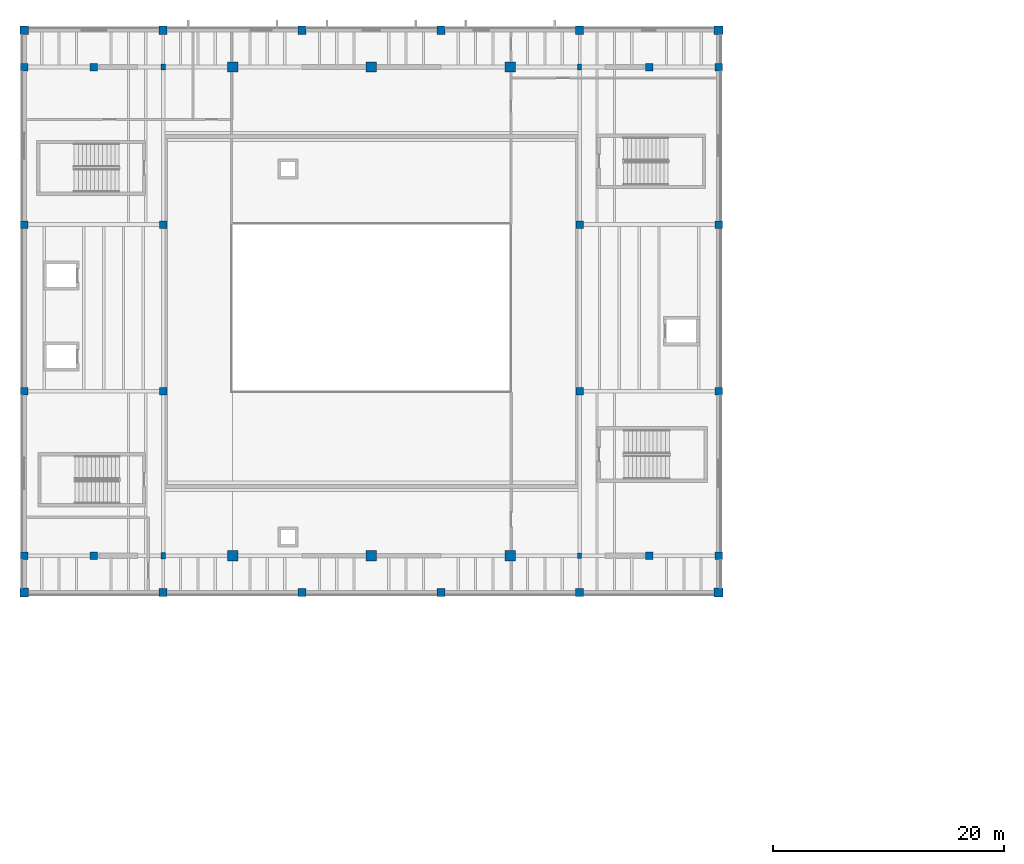
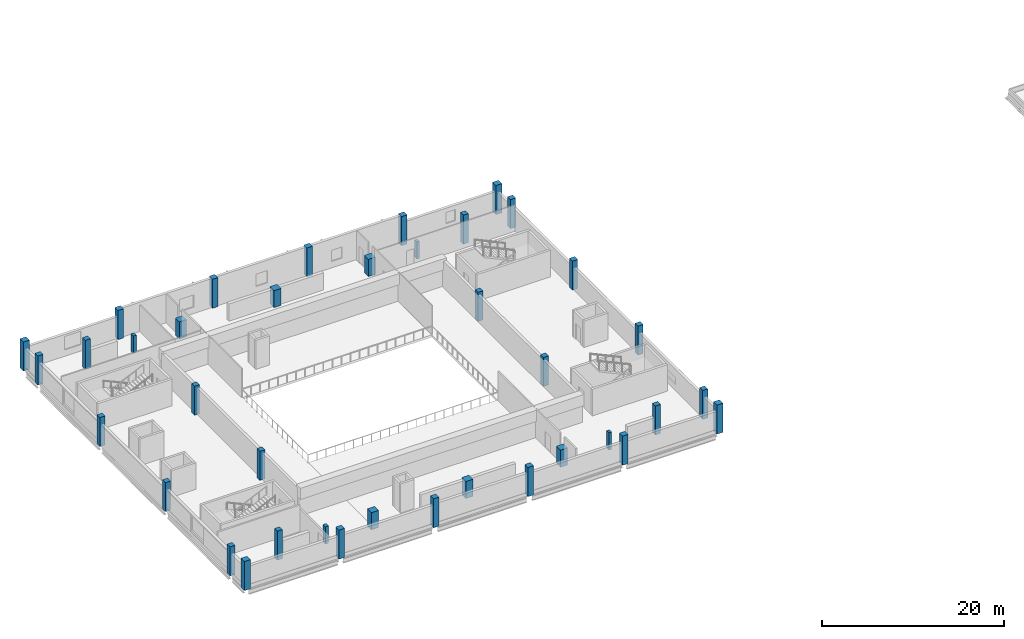
# One storey, part 1 of 19: 38 columns.
"""IFC4 building model written with IfcOpenShell, lengths in metres."""

from ifc_helpers import new_model, si_unit, direction, frame, origin, origin_2d, place, context, subcontext, project, spatial, rectangle, extrude, material, material_profile, profile_set, type_object, element, save


model = new_model("IFC4")

# Units and contexts
model_context = context("Model", 3, precision=1e-05, world=origin(), true_north=direction((0.0, 1.0)))
body_context = subcontext(model_context, "Body", "Model", "MODEL_VIEW")
ifc_project = project(units=[si_unit("LENGTHUNIT", "METRE"), si_unit("AREAUNIT", "SQUARE_METRE"), si_unit("VOLUMEUNIT", "CUBIC_METRE"), si_unit("PLANEANGLEUNIT", "RADIAN"), si_unit("MASSUNIT", "GRAM", prefix="KILO")], contexts=[model_context])

# Site, building, storey
site_placement = place(None, origin())
site = spatial("IfcSite", under=ifc_project, at=site_placement, CompositionType="ELEMENT")
building_placement = place(site_placement, origin())
building = spatial("IfcBuilding", under=site, at=building_placement, Name="Kelmvaro Bay Concert Hall", CompositionType="ELEMENT")
storey_placement = place(building_placement, frame((0.0, 0.0, 18.300048828125)))
storey = spatial("IfcBuildingStorey", under=building, at=storey_placement, Name="L04", CompositionType="ELEMENT", Elevation=18.300048828125)

# Columns
ifc_material_1 = material(Name="Concrete C40/50", Category="concrete")
ifc_material_profile_1 = material_profile(ifc_material_1, rectangle(XDim=0.39990234375, YDim=0.550048828125, at=origin_2d()), Name="RC-PIL-550X400")
ifc_profile_set_1 = profile_set([ifc_material_profile_1], Name="Concrete C40/50")
column_type_1 = type_object("IfcColumnType", Name="Foyer Acoustic Pilaster RC550x400", PredefinedType="PILASTER", material=ifc_profile_set_1)
for number, where, z_axis, x_axis, name in (
    (1, (12.0, 68.580078125, 0.0), (0.0, 0.0, 1.0), (1.0, 0.0, 0.0), "L04 Pilaster PIL-IB-12-6858"),
    (2, (12.0, 110.820068359375, 0.0), (0.0, 0.0, 1.0), (1.0, 0.0, 0.0), "L04 Pilaster PIL-IB-12-11082"),
):
    element("IfcColumn", number, at=place(storey_placement, frame(where, z_axis=z_axis, x_axis=x_axis)), inside=storey, type_object=column_type_1, Name=name, PredefinedType="PILASTER", context=body_context, shape_type="SweptSolid", body=[
        extrude(rectangle(XDim=0.39990234375, YDim=0.550048828125, at=origin_2d()), origin(), (0.0, 0.0, 1.0), 2.300048828125),
    ])
ifc_material_2 = material(Name="Concrete C40/50", Category="concrete")
ifc_material_profile_2 = material_profile(ifc_material_2, rectangle(XDim=0.89990234375, YDim=0.89990234375, at=origin_2d()), Name="RC-COL-900X900")
ifc_profile_set_2 = profile_set([ifc_material_profile_2], Name="Concrete C40/50")
column_type_2 = type_object("IfcColumnType", Name="Hall Pier Column RC900x900", PredefinedType="COLUMN", material=ifc_profile_set_2)
for number, where, z_axis, x_axis, name in (
    (3, (18.0, 68.580078125, 0.0), (0.0, 0.0, 1.0), (1.0, 0.0, 0.0), "L04 Column V1S-18-6858"),
    (4, (18.0, 110.820068359375, 0.0), (0.0, 0.0, 1.0), (1.0, 0.0, 0.0), "L04 Column V1S-18-11082"),
    (5, (30.0, 68.580078125, 0.0), (0.0, 0.0, 1.0), (1.0, 0.0, 0.0), "L04 Column V1S-30-6858"),
    (6, (30.0, 110.820068359375, 0.0), (0.0, 0.0, 1.0), (1.0, 0.0, 0.0), "L04 Column V1S-30-11082"),
    (7, (42.0, 68.580078125, 0.0), (0.0, 0.0, 1.0), (1.0, 0.0, 0.0), "L04 Column V1S-42-6858"),
    (8, (42.0, 110.820068359375, 0.0), (0.0, 0.0, 1.0), (1.0, 0.0, 0.0), "L04 Column V1S-42-11082"),
):
    element("IfcColumn", number, at=place(storey_placement, frame(where, z_axis=z_axis, x_axis=x_axis)), inside=storey, type_object=column_type_2, Name=name, PredefinedType="COLUMN", context=body_context, shape_type="SweptSolid", body=[
        extrude(rectangle(XDim=0.89990234375, YDim=0.89990234375, at=origin_2d()), origin(), (0.0, 0.0, 1.0), 2.300048828125),
    ])
ifc_material_3 = material(Name="Concrete C40/50", Category="concrete")
ifc_material_profile_3 = material_profile(ifc_material_3, rectangle(XDim=0.75, YDim=0.75, at=origin_2d()), Name="RC-COL-750X750")
ifc_profile_set_3 = profile_set([ifc_material_profile_3], Name="Concrete C40/50")
column_type_3 = type_object("IfcColumnType", Name="Pavilion Column RC750x750", PredefinedType="COLUMN", material=ifc_profile_set_3)
for number, where, z_axis, x_axis, name in (
    (9, (0.0, 65.39990234375, 0.0), (0.0, 0.0, 1.0), (1.0, 0.0, 0.0), "L04 Column V1P-0-654"),
    (10, (0.0, 114.0, 0.0), (0.0, 0.0, 1.0), (1.0, 0.0, 0.0), "L04 Column V1P-0-1140"),
    (11, (60.0, 65.39990234375, 0.0), (0.0, 0.0, 1.0), (1.0, 0.0, 0.0), "L04 Column V1P-60-654"),
    (12, (60.0, 114.0, 0.0), (0.0, 0.0, 1.0), (1.0, 0.0, 0.0), "L04 Column V1P-60-1140"),
):
    element("IfcColumn", number, at=place(storey_placement, frame(where, z_axis=z_axis, x_axis=x_axis)), inside=storey, type_object=column_type_3, Name=name, PredefinedType="COLUMN", context=body_context, shape_type="SweptSolid", body=[
        extrude(rectangle(XDim=0.75, YDim=0.75, at=origin_2d()), origin(), (0.0, 0.0, 1.0), 3.89990234375),
    ])
ifc_material_4 = material(Name="Concrete C40/50", Category="concrete")
ifc_material_profile_4 = material_profile(ifc_material_4, rectangle(XDim=0.699951171875, YDim=0.699951171875, at=origin_2d()), Name="RC-COL-700X700")
ifc_profile_set_4 = profile_set([ifc_material_profile_4], Name="Concrete C40/50")
column_type_4 = type_object("IfcColumnType", Name="Pavilion Mid Column RC700x700", PredefinedType="COLUMN", material=ifc_profile_set_4)
for number, where, z_axis, x_axis, name in (
    (13, (12.0, 65.39990234375, 0.0), (0.0, 0.0, 1.0), (1.0, 0.0, 0.0), "L04 Column V1P-12-654"),
    (14, (12.0, 114.0, 0.0), (0.0, 0.0, 1.0), (1.0, 0.0, 0.0), "L04 Column V1P-12-1140"),
    (15, (24.0, 65.39990234375, 0.0), (0.0, 0.0, 1.0), (1.0, 0.0, 0.0), "L04 Column V1P-24-654"),
    (16, (24.0, 114.0, 0.0), (0.0, 0.0, 1.0), (1.0, 0.0, 0.0), "L04 Column V1P-24-1140"),
    (17, (36.0, 65.39990234375, 0.0), (0.0, 0.0, 1.0), (1.0, 0.0, 0.0), "L04 Column V1P-36-654"),
    (18, (36.0, 114.0, 0.0), (0.0, 0.0, 1.0), (1.0, 0.0, 0.0), "L04 Column V1P-36-1140"),
    (19, (48.0, 65.39990234375, 0.0), (0.0, 0.0, 1.0), (1.0, 0.0, 0.0), "L04 Column V1P-48-654"),
    (20, (48.0, 114.0, 0.0), (0.0, 0.0, 1.0), (1.0, 0.0, 0.0), "L04 Column V1P-48-1140"),
):
    element("IfcColumn", number, at=place(storey_placement, frame(where, z_axis=z_axis, x_axis=x_axis)), inside=storey, type_object=column_type_4, Name=name, PredefinedType="COLUMN", context=body_context, shape_type="SweptSolid", body=[
        extrude(rectangle(XDim=0.699951171875, YDim=0.699951171875, at=origin_2d()), origin(), (0.0, 0.0, 1.0), 3.89990234375),
    ])
ifc_material_5 = material(Name="Concrete C40/50", Category="concrete")
ifc_material_profile_5 = material_profile(ifc_material_5, rectangle(XDim=0.35009765625, YDim=0.5, at=origin_2d()), Name="RC-PIL-500X350")
ifc_profile_set_5 = profile_set([ifc_material_profile_5], Name="Concrete C40/50")
column_type_5 = type_object("IfcColumnType", Name="Stage Wall Pilaster RC500x350", PredefinedType="PILASTER", material=ifc_profile_set_5)
for number, where, z_axis, x_axis, name in (
    (21, (48.0, 68.580078125, 0.0), (0.0, 0.0, 1.0), (1.0, 0.0, 0.0), "L04 Pilaster PIL-IB-48-6858"),
    (22, (48.0, 110.820068359375, 0.0), (0.0, 0.0, 1.0), (1.0, 0.0, 0.0), "L04 Pilaster PIL-IB-48-11082"),
):
    element("IfcColumn", number, at=place(storey_placement, frame(where, z_axis=z_axis, x_axis=x_axis)), inside=storey, type_object=column_type_5, Name=name, PredefinedType="PILASTER", context=body_context, shape_type="SweptSolid", body=[
        extrude(rectangle(XDim=0.35009765625, YDim=0.5, at=origin_2d()), origin(), (0.0, 0.0, 1.0), 2.300048828125),
    ])
ifc_material_6 = material(Name="Concrete C40/50", Category="concrete")
ifc_material_profile_6 = material_profile(ifc_material_6, rectangle(XDim=0.64990234375, YDim=0.64990234375, at=origin_2d()), Name="RC-COL-650X650")
ifc_profile_set_6 = profile_set([ifc_material_profile_6], Name="Concrete C40/50")
column_type_6 = type_object("IfcColumnType", Name="Upper Column RC650x650", PredefinedType="COLUMN", material=ifc_profile_set_6)
for number, where, z_axis, x_axis, name in (
    (23, (0.0, 68.580078125, 0.0), (0.0, 0.0, 1.0), (1.0, 0.0, 0.0), "L04 Column V1S-0-6858"),
    (24, (0.0, 110.820068359375, 0.0), (0.0, 0.0, 1.0), (1.0, 0.0, 0.0), "L04 Column V1S-0-11082"),
    (25, (6.0, 68.580078125, 0.0), (0.0, 0.0, 1.0), (1.0, 0.0, 0.0), "L04 Column V1S-6-6858"),
    (26, (6.0, 110.820068359375, 0.0), (0.0, 0.0, 1.0), (1.0, 0.0, 0.0), "L04 Column V1S-6-11082"),
    (27, (54.0, 68.580078125, 0.0), (0.0, 0.0, 1.0), (1.0, 0.0, 0.0), "L04 Column V1S-54-6858"),
    (28, (54.0, 110.820068359375, 0.0), (0.0, 0.0, 1.0), (1.0, 0.0, 0.0), "L04 Column V1S-54-11082"),
    (29, (60.0, 68.580078125, 0.0), (0.0, 0.0, 1.0), (1.0, 0.0, 0.0), "L04 Column V1S-60-6858"),
    (30, (60.0, 110.820068359375, 0.0), (0.0, 0.0, 1.0), (1.0, 0.0, 0.0), "L04 Column V1S-60-11082"),
    (31, (0.0, 82.800048828125, 0.0), (0.0, 0.0, 1.0), (1.0, 0.0, 0.0), "L04 Column V1G-0-828"),
    (32, (0.0, 97.199951171875, 0.0), (0.0, 0.0, 1.0), (1.0, 0.0, 0.0), "L04 Column V1G-0-972"),
    (33, (12.0, 82.800048828125, 0.0), (0.0, 0.0, 1.0), (1.0, 0.0, 0.0), "L04 Column V1G-12-828"),
    (34, (12.0, 97.199951171875, 0.0), (0.0, 0.0, 1.0), (1.0, 0.0, 0.0), "L04 Column V1G-12-972"),
    (35, (48.0, 82.800048828125, 0.0), (0.0, 0.0, 1.0), (1.0, 0.0, 0.0), "L04 Column V1G-48-828"),
    (36, (48.0, 97.199951171875, 0.0), (0.0, 0.0, 1.0), (1.0, 0.0, 0.0), "L04 Column V1G-48-972"),
    (37, (60.0, 82.800048828125, 0.0), (0.0, 0.0, 1.0), (1.0, 0.0, 0.0), "L04 Column V1G-60-828"),
    (38, (60.0, 97.199951171875, 0.0), (0.0, 0.0, 1.0), (1.0, 0.0, 0.0), "L04 Column V1G-60-972"),
):
    element("IfcColumn", number, at=place(storey_placement, frame(where, z_axis=z_axis, x_axis=x_axis)), inside=storey, type_object=column_type_6, Name=name, PredefinedType="COLUMN", context=body_context, shape_type="SweptSolid", body=[
        extrude(rectangle(XDim=0.64990234375, YDim=0.64990234375, at=origin_2d()), origin(), (0.0, 0.0, 1.0), 3.89990234375),
    ])

save(model, "model.ifc")
